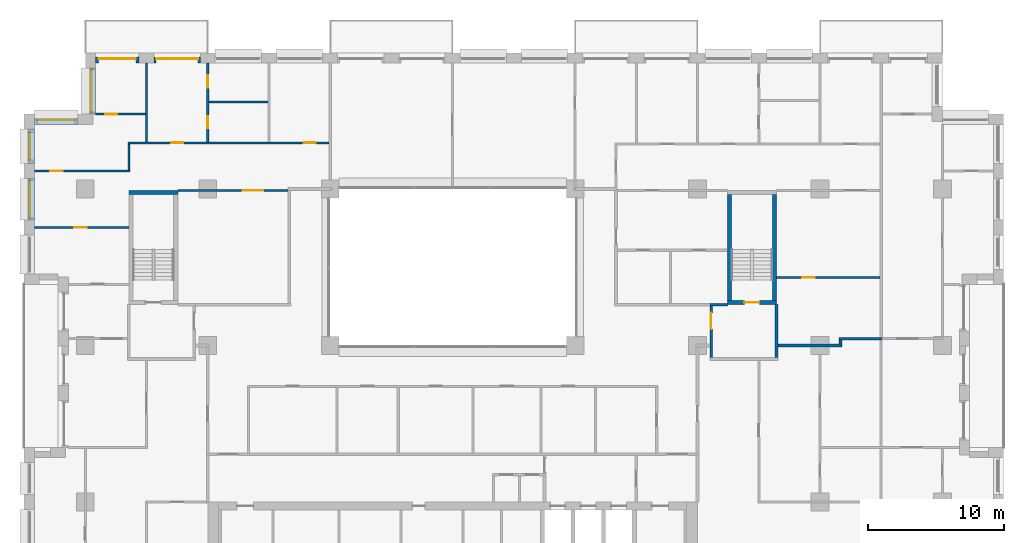
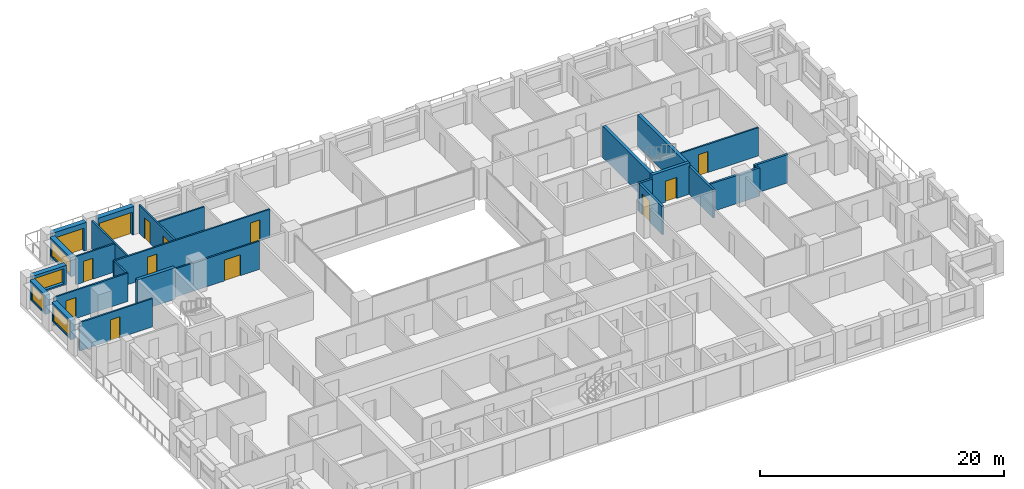
# One storey, part 12 of 16: 26 walls, 13 doors, 4 windows, 17 openings.
"""IFC4 building model written with IfcOpenShell, lengths in metres."""

from ifc_helpers import new_model, si_unit, direction, frame, frame_2d, origin, place, context, subcontext, project, spatial, rectangle, extrude, material, layer, layer_set, type_object, element, fill, save


model = new_model("IFC4")

# Units and contexts
model_context = context("Model", 3, precision=1e-05, world=origin(), true_north=direction((0.0, 1.0)))
body_context = subcontext(model_context, "Body", "Model", "MODEL_VIEW")
ifc_project = project(units=[si_unit("LENGTHUNIT", "METRE"), si_unit("AREAUNIT", "SQUARE_METRE"), si_unit("VOLUMEUNIT", "CUBIC_METRE"), si_unit("PLANEANGLEUNIT", "RADIAN"), si_unit("MASSUNIT", "GRAM", prefix="KILO")], contexts=[model_context])

# Site, building, storey
site_placement = place(None, origin())
site = spatial("IfcSite", under=ifc_project, at=site_placement, CompositionType="ELEMENT")
building_placement = place(site_placement, origin())
building = spatial("IfcBuilding", under=site, at=building_placement, Name="Brigalow Station Residences", CompositionType="ELEMENT")
storey_placement = place(building_placement, frame((0.0, 0.0, 86.699951171875)))
storey = spatial("IfcBuildingStorey", under=building, at=storey_placement, Name="L24", CompositionType="ELEMENT", Elevation=86.699951171875)

# Wall, opening, door
ifc_material_1 = material(Name="Clay brick masonry", Category="masonry")
ifc_layer_1 = layer(ifc_material_1, 0.449951171875)
ifc_layer_set_1 = layer_set([ifc_layer_1], Name="BRICK INFILL WALL 450")
wall_type_1 = type_object("IfcWallType", Name="BRICK INFILL WALL 450", PredefinedType="SOLIDWALL", material=ifc_layer_set_1)
wall_1_placement = place(storey_placement, frame((17.449951171875, 44.97509765625, 0.0), z_axis=(0.0, 0.0, 1.0), x_axis=(-1.0, 0.0, 0.0)))
wall_1 = element("IfcWall", 1, at=wall_1_placement, inside=storey, type_object=wall_type_1, Name="L24/ewall/W-L24-35", PredefinedType="SOLIDWALL", context=body_context, shape_type="SweptSolid", body=[
    extrude(rectangle(XDim=3.39990234375, YDim=0.449951171875, at=frame_2d((1.699951171875, 0.0))), origin(), (0.0, 0.0, 1.0), 2.830078125),
])
opening_1_placement = place(wall_1_placement, frame((0.14990234375, 0.0, 0.0)))
opening_1 = element("IfcOpeningElement", 2, at=opening_1_placement, cuts=wall_1, Name="Opening D-B3100", PredefinedType="OPENING", context=body_context, shape_type="SweptSolid", body=[
    extrude(rectangle(XDim=3.10009765625, YDim=2.300048828125, at=frame_2d((1.550048828125, 1.14990234375))), frame((0.0, 0.23486328125, 0.0), z_axis=(0.0, -1.0, 0.0), x_axis=(1.0, 0.0, 0.0)), (0.0, 0.0, 1.0), 0.469970703125),
])
ifc_material_2 = material(Name="Anodised aluminium frame with double glazing", Category="aluminium")
door_type_1 = type_object("IfcDoorType", Name="BALCONY SLIDING DOOR 3100x2300", OperationType="SLIDING_TO_LEFT", PredefinedType="DOOR", material=ifc_material_2)
door_1_placement = place(opening_1_placement, origin())
door_1 = element("IfcDoor", 3, at=door_1_placement, inside=storey, type_object=door_type_1, Name="L24/balcony-door/W-L24-35", OperationType="SLIDING_TO_LEFT", OverallHeight=2.300048828125, OverallWidth=3.10009765625, PredefinedType="DOOR", context=body_context, shape_type="SweptSolid", body=[
    extrude(rectangle(XDim=3.10009765625, YDim=2.300048828125, at=frame_2d((1.550048828125, 1.14990234375))), frame((0.0, -0.06982421875, 0.0), z_axis=(0.0, -1.0, 0.0), x_axis=(1.0, 0.0, 0.0)), (0.0, 0.0, 1.0), 0.050048828125),
])
fill(opening_1, door_1)

wall_2_placement = place(storey_placement, frame((12.949951171875, 44.97509765625, 0.0), z_axis=(0.0, 0.0, 1.0), x_axis=(-1.0, 0.0, 0.0)))
wall_2 = element("IfcWall", 4, at=wall_2_placement, inside=storey, type_object=wall_type_1, Name="L24/ewall/W-L24-36", PredefinedType="SOLIDWALL", context=body_context, shape_type="SweptSolid", body=[
    extrude(rectangle(XDim=3.199951171875, YDim=0.449951171875, at=frame_2d((1.60009765625, 0.0))), origin(), (0.0, 0.0, 1.0), 2.830078125),
])
opening_2_placement = place(wall_2_placement, frame((0.22509765625, 0.0, 0.0)))
opening_2 = element("IfcOpeningElement", 5, at=opening_2_placement, cuts=wall_2, Name="Opening D-B2750", PredefinedType="OPENING", context=body_context, shape_type="SweptSolid", body=[
    extrude(rectangle(XDim=2.75, YDim=2.300048828125, at=frame_2d((1.375, 1.14990234375))), frame((0.0, 0.23486328125, 0.0), z_axis=(0.0, -1.0, 0.0), x_axis=(1.0, 0.0, 0.0)), (0.0, 0.0, 1.0), 0.469970703125),
])
ifc_material_3 = material(Name="Anodised aluminium frame with double glazing", Category="aluminium")
door_type_2 = type_object("IfcDoorType", Name="BALCONY SLIDING DOOR 2750x2300", OperationType="SLIDING_TO_LEFT", PredefinedType="DOOR", material=ifc_material_3)
door_2_placement = place(opening_2_placement, origin())
door_2 = element("IfcDoor", 6, at=door_2_placement, inside=storey, type_object=door_type_2, Name="L24/balcony-door/W-L24-36", OperationType="SLIDING_TO_LEFT", OverallHeight=2.300048828125, OverallWidth=2.75, PredefinedType="DOOR", context=body_context, shape_type="SweptSolid", body=[
    extrude(rectangle(XDim=2.75, YDim=2.300048828125, at=frame_2d((1.375, 1.14990234375))), frame((0.0, -0.06982421875, 0.0), z_axis=(0.0, -1.0, 0.0), x_axis=(1.0, 0.0, 0.0)), (0.0, 0.0, 1.0), 0.050048828125),
])
fill(opening_2, door_2)

# Wall, opening, window
wall_3_placement = place(storey_placement, frame((9.52490234375, 44.39990234375, 0.900146484375), z_axis=(0.0, 0.0, 1.0), x_axis=(0.0, -1.0, 0.0)))
wall_3 = element("IfcWall", 7, at=wall_3_placement, inside=storey, type_object=wall_type_1, Name="L24/ewall/W-L24-37", PredefinedType="SOLIDWALL", context=body_context, shape_type="SweptSolid", body=[
    extrude(rectangle(XDim=3.39990234375, YDim=0.449951171875, at=frame_2d((1.699951171875, 0.0))), origin(), (0.0, 0.0, 1.0), 1.929931640625),
])
opening_3_placement = place(wall_3_placement, frame((0.14990234375, 0.0, 0.14990234375)))
opening_3 = element("IfcOpeningElement", 8, at=opening_3_placement, cuts=wall_3, Name="Opening WT-8", PredefinedType="OPENING", context=body_context, shape_type="SweptSolid", body=[
    extrude(rectangle(XDim=3.10009765625, YDim=1.5, at=frame_2d((1.550048828125, 0.75))), frame((0.0, 0.23486328125, 0.0), z_axis=(0.0, -1.0, 0.0), x_axis=(1.0, 0.0, 0.0)), (0.0, 0.0, 1.0), 0.469970703125),
])
ifc_material_4 = material(Name="Anodised aluminium frame with double glazing", Category="aluminium")
window_type_1 = type_object("IfcWindowType", Name="WINDOW 3100x1500", PartitioningType="SINGLE_PANEL", PredefinedType="WINDOW", material=ifc_material_4)
window_1_placement = place(opening_3_placement, origin())
window_1 = element("IfcWindow", 9, at=window_1_placement, inside=storey, type_object=window_type_1, Name="L24/window/W-L24-37", OverallHeight=1.5, OverallWidth=3.10009765625, PartitioningType="SINGLE_PANEL", PredefinedType="WINDOW", context=body_context, shape_type="SweptSolid", body=[
    extrude(rectangle(XDim=3.10009765625, YDim=1.5, at=frame_2d((1.550048828125, 0.75))), frame((0.0, -0.06494140625, 0.0), z_axis=(0.0, -1.0, 0.0), x_axis=(1.0, 0.0, 0.0)), (0.0, 0.0, 1.0), 0.06005859375),
])
fill(opening_3, window_1)

wall_4_placement = place(storey_placement, frame((8.449951171875, 40.47509765625, 0.900146484375), z_axis=(0.0, 0.0, 1.0), x_axis=(-1.0, 0.0, 0.0)))
wall_4 = element("IfcWall", 10, at=wall_4_placement, inside=storey, type_object=wall_type_1, Name="L24/ewall/W-L24-38", PredefinedType="SOLIDWALL", context=body_context, shape_type="SweptSolid", body=[
    extrude(rectangle(XDim=3.199951171875, YDim=0.449951171875, at=frame_2d((1.60009765625, 0.0))), origin(), (0.0, 0.0, 1.0), 1.929931640625),
])
opening_4_placement = place(wall_4_placement, frame((0.22509765625, 0.0, 0.14990234375)))
opening_4 = element("IfcOpeningElement", 11, at=opening_4_placement, cuts=wall_4, Name="Opening WT-3", PredefinedType="OPENING", context=body_context, shape_type="SweptSolid", body=[
    extrude(rectangle(XDim=2.75, YDim=1.5, at=frame_2d((1.375, 0.75))), frame((0.0, 0.23486328125, 0.0), z_axis=(0.0, -1.0, 0.0), x_axis=(1.0, 0.0, 0.0)), (0.0, 0.0, 1.0), 0.469970703125),
])
ifc_material_5 = material(Name="Anodised aluminium frame with double glazing", Category="aluminium")
window_type_2 = type_object("IfcWindowType", Name="WINDOW 2750x1500", PartitioningType="SINGLE_PANEL", PredefinedType="WINDOW", material=ifc_material_5)
window_2_placement = place(opening_4_placement, origin())
window_2 = element("IfcWindow", 12, at=window_2_placement, inside=storey, type_object=window_type_2, Name="L24/window/W-L24-38", OverallHeight=1.5, OverallWidth=2.75, PartitioningType="SINGLE_PANEL", PredefinedType="WINDOW", context=body_context, shape_type="SweptSolid", body=[
    extrude(rectangle(XDim=2.75, YDim=1.5, at=frame_2d((1.375, 0.75))), frame((0.0, -0.06494140625, 0.0), z_axis=(0.0, -1.0, 0.0), x_axis=(1.0, 0.0, 0.0)), (0.0, 0.0, 1.0), 0.06005859375),
])
fill(opening_4, window_2)

wall_5_placement = place(storey_placement, frame((5.02490234375, 39.89990234375, 0.900146484375), z_axis=(0.0, 0.0, 1.0), x_axis=(0.0, -1.0, 0.0)))
wall_5 = element("IfcWall", 13, at=wall_5_placement, inside=storey, type_object=wall_type_1, Name="L24/ewall/W-L24-39", PredefinedType="SOLIDWALL", context=body_context, shape_type="SweptSolid", body=[
    extrude(rectangle(XDim=2.516845703125, YDim=0.449951171875, at=frame_2d((1.25830078125, 0.0))), origin(), (0.0, 0.0, 1.0), 1.929931640625),
])
opening_5_placement = place(wall_5_placement, frame((0.258544921875, 0.0, 0.14990234375)))
opening_5 = element("IfcOpeningElement", 14, at=opening_5_placement, cuts=wall_5, Name="Opening WT-7", PredefinedType="OPENING", context=body_context, shape_type="SweptSolid", body=[
    extrude(rectangle(XDim=2.0, YDim=1.5, at=frame_2d((1.0, 0.75))), frame((0.0, 0.23486328125, 0.0), z_axis=(0.0, -1.0, 0.0), x_axis=(1.0, 0.0, 0.0)), (0.0, 0.0, 1.0), 0.469970703125),
])
ifc_material_6 = material(Name="Anodised aluminium frame with double glazing", Category="aluminium")
window_type_3 = type_object("IfcWindowType", Name="WINDOW 2000x1500", PartitioningType="SINGLE_PANEL", PredefinedType="WINDOW", material=ifc_material_6)
window_3_placement = place(opening_5_placement, origin())
window_3 = element("IfcWindow", 15, at=window_3_placement, inside=storey, type_object=window_type_3, Name="L24/window/W-L24-39", OverallHeight=1.5, OverallWidth=2.0, PartitioningType="SINGLE_PANEL", PredefinedType="WINDOW", context=body_context, shape_type="SweptSolid", body=[
    extrude(rectangle(XDim=2.0, YDim=1.5, at=frame_2d((1.0, 0.75))), frame((0.0, -0.06494140625, 0.0), z_axis=(0.0, -1.0, 0.0), x_axis=(1.0, 0.0, 0.0)), (0.0, 0.0, 1.0), 0.06005859375),
])
fill(opening_5, window_3)

wall_6_placement = place(storey_placement, frame((5.02490234375, 36.282958984375, 0.900146484375), z_axis=(0.0, 0.0, 1.0), x_axis=(0.0, -1.0, 0.0)))
wall_6 = element("IfcWall", 16, at=wall_6_placement, inside=storey, type_object=wall_type_1, Name="L24/ewall/W-L24-40", PredefinedType="SOLIDWALL", context=body_context, shape_type="SweptSolid", body=[
    extrude(rectangle(XDim=3.06591796875, YDim=0.449951171875, at=frame_2d((1.532958984375, 0.0))), origin(), (0.0, 0.0, 1.0), 1.929931640625),
])
opening_6_placement = place(wall_6_placement, frame((0.157958984375, 0.0, 0.14990234375)))
opening_6 = element("IfcOpeningElement", 17, at=opening_6_placement, cuts=wall_6, Name="Opening WT-3", PredefinedType="OPENING", context=body_context, shape_type="SweptSolid", body=[
    extrude(rectangle(XDim=2.75, YDim=1.5, at=frame_2d((1.375, 0.75))), frame((0.0, 0.23486328125, 0.0), z_axis=(0.0, -1.0, 0.0), x_axis=(1.0, 0.0, 0.0)), (0.0, 0.0, 1.0), 0.469970703125),
])
window_4_placement = place(opening_6_placement, origin())
window_4 = element("IfcWindow", 18, at=window_4_placement, inside=storey, type_object=window_type_2, Name="L24/window/W-L24-40", OverallHeight=1.5, OverallWidth=2.75, PartitioningType="SINGLE_PANEL", PredefinedType="WINDOW", context=body_context, shape_type="SweptSolid", body=[
    extrude(rectangle(XDim=2.75, YDim=1.5, at=frame_2d((1.375, 0.75))), frame((0.0, -0.06494140625, 0.0), z_axis=(0.0, -1.0, 0.0), x_axis=(1.0, 0.0, 0.0)), (0.0, 0.0, 1.0), 0.06005859375),
])
fill(opening_6, window_4)

# Wall
ifc_material_7 = material(Name="Concrete C65", Category="concrete")
ifc_layer_2 = layer(ifc_material_7, 0.300048828125)
ifc_layer_set_2 = layer_set([ifc_layer_2], Name="CORE SHEAR WALL 300 C65")
wall_type_2 = type_object("IfcWallType", Name="CORE SHEAR WALL 300 C65", PredefinedType="SHEAR", material=ifc_layer_set_2)
wall_7_placement = place(storey_placement, frame((12.199951171875, 35.25, 0.0), z_axis=(0.0, 0.0, 1.0), x_axis=(1.0, 0.0, 0.0)))
element("IfcWall", 19, at=wall_7_placement, inside=storey, type_object=wall_type_2, Name="CORE WALL ST-S1-N L24", PredefinedType="SHEAR", context=body_context, shape_type="SweptSolid", body=[
    extrude(rectangle(XDim=3.60009765625, YDim=0.300048828125, at=frame_2d((1.800048828125, 0.0))), origin(), (0.0, 0.0, 1.0), 3.150146484375),
])

# Wall, opening, door
wall_8_placement = place(storey_placement, frame((56.199951171875, 27.14990234375, 0.0), z_axis=(0.0, 0.0, 1.0), x_axis=(1.0, 0.0, 0.0)))
wall_8 = element("IfcWall", 20, at=wall_8_placement, inside=storey, type_object=wall_type_2, Name="CORE WALL ST-S3-S L24", PredefinedType="SHEAR", context=body_context, shape_type="SweptSolid", body=[
    extrude(rectangle(XDim=3.60009765625, YDim=0.300048828125, at=frame_2d((1.800048828125, 0.0))), origin(), (0.0, 0.0, 1.0), 3.150146484375),
])
opening_7_placement = place(wall_8_placement, frame((1.25, 0.0, 0.0)))
opening_7 = element("IfcOpeningElement", 21, at=opening_7_placement, cuts=wall_8, Name="Opening D-5018", PredefinedType="OPENING", context=body_context, shape_type="SweptSolid", body=[
    extrude(rectangle(XDim=1.10009765625, YDim=2.10009765625, at=frame_2d((0.550048828125, 1.050048828125))), frame((0.0, 0.16015625, 0.0), z_axis=(0.0, -1.0, 0.0), x_axis=(1.0, 0.0, 0.0)), (0.0, 0.0, 1.0), 0.320068359375),
])
ifc_material_8 = material(Name="Steel fire door leaf in steel frame", Category="steel")
door_type_3 = type_object("IfcDoorType", Name="STAIR DOOR 1100 x 2100 FD60S", OperationType="SINGLE_SWING_LEFT", PredefinedType="DOOR", material=ifc_material_8)
door_3_placement = place(opening_7_placement, origin())
door_3 = element("IfcDoor", 22, at=door_3_placement, inside=storey, type_object=door_type_3, Name="D-5018", OperationType="SINGLE_SWING_LEFT", OverallHeight=2.10009765625, OverallWidth=1.10009765625, PredefinedType="DOOR", context=body_context, shape_type="SweptSolid", body=[
    extrude(rectangle(XDim=1.10009765625, YDim=2.10009765625, at=frame_2d((0.550048828125, 1.050048828125))), frame((0.0, 0.02490234375, 0.0), z_axis=(0.0, -1.0, 0.0), x_axis=(1.0, 0.0, 0.0)), (0.0, 0.0, 1.0), 0.050048828125),
])
fill(opening_7, door_3)

# Walls
for number, where, z_axis, x_axis, name in (
    (23, (56.35009765625, 27.300048828125, 0.0), (0.0, 0.0, 1.0), (0.0, 1.0, 0.0), "CORE WALL ST-S3-W L24"),
    (24, (59.64990234375, 27.300048828125, 0.0), (0.0, 0.0, 1.0), (0.0, 1.0, 0.0), "CORE WALL ST-S3-E L24"),
):
    element("IfcWall", number, at=place(storey_placement, frame(where, z_axis=z_axis, x_axis=x_axis)), inside=storey, type_object=wall_type_2, Name=name, PredefinedType="SHEAR", context=body_context, shape_type="SweptSolid", body=[
        extrude(rectangle(XDim=7.800048828125, YDim=0.300048828125, at=frame_2d((3.89990234375, 0.0))), origin(), (0.0, 0.0, 1.0), 3.150146484375),
    ])
ifc_material_9 = material(Name="Concrete blockwork", Category="masonry")
ifc_layer_3 = layer(ifc_material_9, 0.199951171875)
ifc_layer_set_3 = layer_set([ifc_layer_3], Name="FIRE RATED CORE PARTITION 200")
wall_type_3 = type_object("IfcWallType", Name="FIRE RATED CORE PARTITION 200", PredefinedType="PARTITIONING", material=ifc_layer_set_3)
wall_9_placement = place(storey_placement, frame((54.89990234375, 27.0, 0.0), z_axis=(0.0, 0.0, 1.0), x_axis=(1.0, 0.0, 0.0)))
element("IfcWall", 25, at=wall_9_placement, inside=storey, type_object=wall_type_3, Name="PW-5026", PredefinedType="PARTITIONING", context=body_context, shape_type="SweptSolid", body=[
    extrude(rectangle(XDim=1.300048828125, YDim=0.199951171875, at=frame_2d((0.64990234375, 0.0))), origin(), (0.0, 0.0, 1.0), 2.830078125),
])

# Wall, opening, door
wall_10_placement = place(storey_placement, frame((55.0, 23.10009765625, 0.0), z_axis=(0.0, 0.0, 1.0), x_axis=(0.0, 1.0, 0.0)))
wall_10 = element("IfcWall", 26, at=wall_10_placement, inside=storey, type_object=wall_type_3, Name="PW-5036", PredefinedType="PARTITIONING", context=body_context, shape_type="SweptSolid", body=[
    extrude(rectangle(XDim=3.7998046875, YDim=0.199951171875, at=frame_2d((1.89990234375, 0.0))), origin(), (0.0, 0.0, 1.0), 2.830078125),
])
opening_8_placement = place(wall_10_placement, frame((2.10009765625, 0.0, 0.0)))
opening_8 = element("IfcOpeningElement", 27, at=opening_8_placement, cuts=wall_10, Name="Opening D-5019", PredefinedType="OPENING", context=body_context, shape_type="SweptSolid", body=[
    extrude(rectangle(XDim=1.199951171875, YDim=2.10009765625, at=frame_2d((0.60009765625, 1.050048828125))), frame((0.0, 0.10986328125, 0.0), z_axis=(0.0, -1.0, 0.0), x_axis=(1.0, 0.0, 0.0)), (0.0, 0.0, 1.0), 0.219970703125),
])
ifc_material_10 = material(Name="Steel fire door leaf in steel frame", Category="steel")
door_type_4 = type_object("IfcDoorType", Name="STAIR LOBBY DOOR 1200 x 2100 FD60S", OperationType="SINGLE_SWING_LEFT", PredefinedType="DOOR", material=ifc_material_10)
door_4_placement = place(opening_8_placement, frame((1.199951171875, 0.0, 0.0), z_axis=(0.0, 0.0, 1.0), x_axis=(-1.0, 0.0, 0.0)))
door_4 = element("IfcDoor", 28, at=door_4_placement, inside=storey, type_object=door_type_4, Name="D-5019", OperationType="SINGLE_SWING_LEFT", OverallHeight=2.10009765625, OverallWidth=1.199951171875, PredefinedType="DOOR", context=body_context, shape_type="SweptSolid", body=[
    extrude(rectangle(XDim=1.199951171875, YDim=2.10009765625, at=frame_2d((0.60009765625, 1.050048828125))), frame((0.0, 0.02490234375, 0.0), z_axis=(0.0, -1.0, 0.0), x_axis=(1.0, 0.0, 0.0)), (0.0, 0.0, 1.0), 0.050048828125),
])
fill(opening_8, door_4)

# Wall
wall_11_placement = place(storey_placement, frame((59.800048828125, 23.10009765625, 0.0), z_axis=(0.0, 0.0, 1.0), x_axis=(0.0, 1.0, 0.0)))
element("IfcWall", 29, at=wall_11_placement, inside=storey, type_object=wall_type_3, Name="PW-5037", PredefinedType="PARTITIONING", context=body_context, shape_type="SweptSolid", body=[
    extrude(rectangle(XDim=3.89990234375, YDim=0.199951171875, at=frame_2d((1.949951171875, 0.0))), origin(), (0.0, 0.0, 1.0), 2.830078125),
])

# Wall, opening, door
ifc_material_11 = material(Name="Plasterboard on steel stud partition", Category="steel")
ifc_layer_4 = layer(ifc_material_11, 0.14990234375)
ifc_layer_set_4 = layer_set([ifc_layer_4], Name="FLAT PARTITION 150")
wall_type_4 = type_object("IfcWallType", Name="FLAT PARTITION 150", PredefinedType="PARTITIONING", material=ifc_layer_set_4)
wall_12_placement = place(storey_placement, frame((5.25, 32.6669921875, 0.0), z_axis=(0.0, 0.0, 1.0), x_axis=(1.0, 0.0, 0.0)))
wall_12 = element("IfcWall", 30, at=wall_12_placement, inside=storey, type_object=wall_type_4, Name="PW-2A24", PredefinedType="PARTITIONING", context=body_context, shape_type="SweptSolid", body=[
    extrude(rectangle(XDim=6.949951171875, YDim=0.14990234375, at=frame_2d((3.47509765625, 0.0))), origin(), (0.0, 0.0, 1.0), 2.830078125),
])
opening_9_placement = place(wall_12_placement, frame((2.949951171875, 0.0, 0.0)))
opening_9 = element("IfcOpeningElement", 31, at=opening_9_placement, cuts=wall_12, Name="Opening D-2A12", PredefinedType="OPENING", context=body_context, shape_type="SweptSolid", body=[
    extrude(rectangle(XDim=0.89990234375, YDim=2.10009765625, at=frame_2d((0.449951171875, 1.050048828125))), frame((0.0, 0.0849609375, 0.0), z_axis=(0.0, -1.0, 0.0), x_axis=(1.0, 0.0, 0.0)), (0.0, 0.0, 1.0), 0.169921875),
])
ifc_material_12 = material(Name="Solid-core timber door leaf", Category="wood")
door_type_5 = type_object("IfcDoorType", Name="INTERNAL DOOR 900 x 2100", OperationType="SINGLE_SWING_LEFT", PredefinedType="DOOR", material=ifc_material_12)
door_5_placement = place(opening_9_placement, frame((0.89990234375, 0.0, 0.0), z_axis=(0.0, 0.0, 1.0), x_axis=(-1.0, 0.0, 0.0)))
door_5 = element("IfcDoor", 32, at=door_5_placement, inside=storey, type_object=door_type_5, Name="D-2A12", OperationType="SINGLE_SWING_RIGHT", OverallHeight=2.10009765625, OverallWidth=0.89990234375, PredefinedType="DOOR", context=body_context, shape_type="SweptSolid", body=[
    extrude(rectangle(XDim=0.89990234375, YDim=2.10009765625, at=frame_2d((0.449951171875, 1.050048828125))), frame((0.0, 0.02490234375, 0.0), z_axis=(0.0, -1.0, 0.0), x_axis=(1.0, 0.0, 0.0)), (0.0, 0.0, 1.0), 0.050048828125),
])
fill(opening_9, door_5)

wall_13_placement = place(storey_placement, frame((5.25, 36.8330078125, 0.0), z_axis=(0.0, 0.0, 1.0), x_axis=(1.0, 0.0, 0.0)))
wall_13 = element("IfcWall", 33, at=wall_13_placement, inside=storey, type_object=wall_type_4, Name="PW-2A25", PredefinedType="PARTITIONING", context=body_context, shape_type="SweptSolid", body=[
    extrude(rectangle(XDim=7.02490234375, YDim=0.14990234375, at=frame_2d((3.512451171875, 0.0))), origin(), (0.0, 0.0, 1.0), 2.830078125),
])
opening_10_placement = place(wall_13_placement, frame((1.175048828125, 0.0, 0.0)))
opening_10 = element("IfcOpeningElement", 34, at=opening_10_placement, cuts=wall_13, Name="Opening D-2A13", PredefinedType="OPENING", context=body_context, shape_type="SweptSolid", body=[
    extrude(rectangle(XDim=0.89990234375, YDim=2.10009765625, at=frame_2d((0.449951171875, 1.050048828125))), frame((0.0, 0.0849609375, 0.0), z_axis=(0.0, -1.0, 0.0), x_axis=(1.0, 0.0, 0.0)), (0.0, 0.0, 1.0), 0.169921875),
])
door_6_placement = place(opening_10_placement, origin())
door_6 = element("IfcDoor", 35, at=door_6_placement, inside=storey, type_object=door_type_5, Name="D-2A13", OperationType="SINGLE_SWING_LEFT", OverallHeight=2.10009765625, OverallWidth=0.89990234375, PredefinedType="DOOR", context=body_context, shape_type="SweptSolid", body=[
    extrude(rectangle(XDim=0.89990234375, YDim=2.10009765625, at=frame_2d((0.449951171875, 1.050048828125))), frame((0.0, 0.02490234375, 0.0), z_axis=(0.0, -1.0, 0.0), x_axis=(1.0, 0.0, 0.0)), (0.0, 0.0, 1.0), 0.050048828125),
])
fill(opening_10, door_6)

# Wall, openings, doors
wall_14_placement = place(storey_placement, frame((12.125, 38.89990234375, 0.0), z_axis=(0.0, 0.0, 1.0), x_axis=(1.0, 0.0, 0.0)))
wall_14 = element("IfcWall", 36, at=wall_14_placement, inside=storey, type_object=wall_type_4, Name="PW-2A27", PredefinedType="PARTITIONING", context=body_context, shape_type="SweptSolid", body=[
    extrude(rectangle(XDim=14.77490234375, YDim=0.14990234375, at=frame_2d((7.387451171875, 0.0))), origin(), (0.0, 0.0, 1.0), 2.830078125),
])
opening_11_placement = place(wall_14_placement, frame((3.175048828125, 0.0, 0.0)))
opening_11 = element("IfcOpeningElement", 37, at=opening_11_placement, cuts=wall_14, Name="Opening D-2A15", PredefinedType="OPENING", context=body_context, shape_type="SweptSolid", body=[
    extrude(rectangle(XDim=0.89990234375, YDim=2.10009765625, at=frame_2d((0.449951171875, 1.050048828125))), frame((0.0, 0.0849609375, 0.0), z_axis=(0.0, -1.0, 0.0), x_axis=(1.0, 0.0, 0.0)), (0.0, 0.0, 1.0), 0.169921875),
])
opening_12_placement = place(wall_14_placement, frame((12.925048828125, 0.0, 0.0)))
opening_12 = element("IfcOpeningElement", 38, at=opening_12_placement, cuts=wall_14, Name="Opening D-2A19", PredefinedType="OPENING", context=body_context, shape_type="SweptSolid", body=[
    extrude(rectangle(XDim=0.89990234375, YDim=2.10009765625, at=frame_2d((0.449951171875, 1.050048828125))), frame((0.0, 0.0849609375, 0.0), z_axis=(0.0, -1.0, 0.0), x_axis=(1.0, 0.0, 0.0)), (0.0, 0.0, 1.0), 0.169921875),
])
door_7_placement = place(opening_11_placement, origin())
door_7 = element("IfcDoor", 39, at=door_7_placement, inside=storey, type_object=door_type_5, Name="D-2A15", OperationType="SINGLE_SWING_RIGHT", OverallHeight=2.10009765625, OverallWidth=0.89990234375, PredefinedType="DOOR", context=body_context, shape_type="SweptSolid", body=[
    extrude(rectangle(XDim=0.89990234375, YDim=2.10009765625, at=frame_2d((0.449951171875, 1.050048828125))), frame((0.0, 0.02490234375, 0.0), z_axis=(0.0, -1.0, 0.0), x_axis=(1.0, 0.0, 0.0)), (0.0, 0.0, 1.0), 0.050048828125),
])
fill(opening_11, door_7)
door_8_placement = place(opening_12_placement, origin())
door_8 = element("IfcDoor", 40, at=door_8_placement, inside=storey, type_object=door_type_5, Name="D-2A19", OperationType="SINGLE_SWING_RIGHT", OverallHeight=2.10009765625, OverallWidth=0.89990234375, PredefinedType="DOOR", context=body_context, shape_type="SweptSolid", body=[
    extrude(rectangle(XDim=0.89990234375, YDim=2.10009765625, at=frame_2d((0.449951171875, 1.050048828125))), frame((0.0, 0.02490234375, 0.0), z_axis=(0.0, -1.0, 0.0), x_axis=(1.0, 0.0, 0.0)), (0.0, 0.0, 1.0), 0.050048828125),
])
fill(opening_12, door_8)

# Wall, opening, door
wall_15_placement = place(storey_placement, frame((15.800048828125, 35.39990234375, 0.0), z_axis=(0.0, 0.0, 1.0), x_axis=(1.0, 0.0, 0.0)))
wall_15 = element("IfcWall", 41, at=wall_15_placement, inside=storey, type_object=wall_type_4, Name="PW-2A28", PredefinedType="PARTITIONING", context=body_context, shape_type="SweptSolid", body=[
    extrude(rectangle(XDim=8.099853515625, YDim=0.14990234375, at=frame_2d((4.0498046875, 0.0))), origin(), (0.0, 0.0, 1.0), 2.830078125),
])
opening_13_placement = place(wall_15_placement, frame((4.77490234375, 0.0, 0.0)))
opening_13 = element("IfcOpeningElement", 42, at=opening_13_placement, cuts=wall_15, Name="Opening D-2A18", PredefinedType="OPENING", context=body_context, shape_type="SweptSolid", body=[
    extrude(rectangle(XDim=1.5, YDim=2.10009765625, at=frame_2d((0.75, 1.050048828125))), frame((0.0, 0.0849609375, 0.0), z_axis=(0.0, -1.0, 0.0), x_axis=(1.0, 0.0, 0.0)), (0.0, 0.0, 1.0), 0.169921875),
])
ifc_material_13 = material(Name="Solid-core timber door leaf", Category="wood")
door_type_6 = type_object("IfcDoorType", Name="INTERNAL DOUBLE DOOR 1500 x 2100", OperationType="DOUBLE_DOOR_SINGLE_SWING", PredefinedType="DOOR", material=ifc_material_13)
door_9_placement = place(opening_13_placement, frame((1.5, 0.0, 0.0), z_axis=(0.0, 0.0, 1.0), x_axis=(-1.0, 0.0, 0.0)))
door_9 = element("IfcDoor", 43, at=door_9_placement, inside=storey, type_object=door_type_6, Name="D-2A18", OperationType="DOUBLE_DOOR_SINGLE_SWING", OverallHeight=2.10009765625, OverallWidth=1.5, PredefinedType="DOOR", context=body_context, shape_type="SweptSolid", body=[
    extrude(rectangle(XDim=1.5, YDim=2.10009765625, at=frame_2d((0.75, 1.050048828125))), frame((0.0, 0.02490234375, 0.0), z_axis=(0.0, -1.0, 0.0), x_axis=(1.0, 0.0, 0.0)), (0.0, 0.0, 1.0), 0.050048828125),
])
fill(opening_13, door_9)

wall_16_placement = place(storey_placement, frame((9.75, 41.0, 0.0), z_axis=(0.0, 0.0, 1.0), x_axis=(1.0, 0.0, 0.0)))
wall_16 = element("IfcWall", 44, at=wall_16_placement, inside=storey, type_object=wall_type_4, Name="PW-2A31", PredefinedType="PARTITIONING", context=body_context, shape_type="SweptSolid", body=[
    extrude(rectangle(XDim=3.675048828125, YDim=0.14990234375, at=frame_2d((1.83740234375, 0.0))), origin(), (0.0, 0.0, 1.0), 2.830078125),
])
opening_14_placement = place(wall_16_placement, frame((0.699951171875, 0.0, 0.0)))
opening_14 = element("IfcOpeningElement", 45, at=opening_14_placement, cuts=wall_16, Name="Opening D-2A14", PredefinedType="OPENING", context=body_context, shape_type="SweptSolid", body=[
    extrude(rectangle(XDim=0.89990234375, YDim=2.10009765625, at=frame_2d((0.449951171875, 1.050048828125))), frame((0.0, 0.0849609375, 0.0), z_axis=(0.0, -1.0, 0.0), x_axis=(1.0, 0.0, 0.0)), (0.0, 0.0, 1.0), 0.169921875),
])
door_10_placement = place(opening_14_placement, origin())
door_10 = element("IfcDoor", 46, at=door_10_placement, inside=storey, type_object=door_type_5, Name="D-2A14", OperationType="SINGLE_SWING_LEFT", OverallHeight=2.10009765625, OverallWidth=0.89990234375, PredefinedType="DOOR", context=body_context, shape_type="SweptSolid", body=[
    extrude(rectangle(XDim=0.89990234375, YDim=2.10009765625, at=frame_2d((0.449951171875, 1.050048828125))), frame((0.0, 0.02490234375, 0.0), z_axis=(0.0, -1.0, 0.0), x_axis=(1.0, 0.0, 0.0)), (0.0, 0.0, 1.0), 0.050048828125),
])
fill(opening_14, door_10)

# Wall
wall_17_placement = place(storey_placement, frame((18.074951171875, 41.89990234375, 0.0), z_axis=(0.0, 0.0, 1.0), x_axis=(1.0, 0.0, 0.0)))
element("IfcWall", 47, at=wall_17_placement, inside=storey, type_object=wall_type_4, Name="PW-2A33", PredefinedType="PARTITIONING", context=body_context, shape_type="SweptSolid", body=[
    extrude(rectangle(XDim=4.35009765625, YDim=0.14990234375, at=frame_2d((2.175048828125, 0.0))), origin(), (0.0, 0.0, 1.0), 2.830078125),
])

# Wall, opening, door
wall_18_placement = place(storey_placement, frame((59.800048828125, 29.0, 0.0), z_axis=(0.0, 0.0, 1.0), x_axis=(1.0, 0.0, 0.0)))
wall_18 = element("IfcWall", 48, at=wall_18_placement, inside=storey, type_object=wall_type_4, Name="PW-2A37", PredefinedType="PARTITIONING", context=body_context, shape_type="SweptSolid", body=[
    extrude(rectangle(XDim=7.599853515625, YDim=0.14990234375, at=frame_2d((3.7998046875, 0.0))), origin(), (0.0, 0.0, 1.0), 2.830078125),
])
opening_15_placement = place(wall_18_placement, frame((1.89990234375, 0.0, 0.0)))
opening_15 = element("IfcOpeningElement", 49, at=opening_15_placement, cuts=wall_18, Name="Opening D-2A33", PredefinedType="OPENING", context=body_context, shape_type="SweptSolid", body=[
    extrude(rectangle(XDim=0.89990234375, YDim=2.10009765625, at=frame_2d((0.449951171875, 1.050048828125))), frame((0.0, 0.0849609375, 0.0), z_axis=(0.0, -1.0, 0.0), x_axis=(1.0, 0.0, 0.0)), (0.0, 0.0, 1.0), 0.169921875),
])
door_11_placement = place(opening_15_placement, frame((0.89990234375, 0.0, 0.0), z_axis=(0.0, 0.0, 1.0), x_axis=(-1.0, 0.0, 0.0)))
door_11 = element("IfcDoor", 50, at=door_11_placement, inside=storey, type_object=door_type_5, Name="D-2A33", OperationType="SINGLE_SWING_RIGHT", OverallHeight=2.10009765625, OverallWidth=0.89990234375, PredefinedType="DOOR", context=body_context, shape_type="SweptSolid", body=[
    extrude(rectangle(XDim=0.89990234375, YDim=2.10009765625, at=frame_2d((0.449951171875, 1.050048828125))), frame((0.0, 0.02490234375, 0.0), z_axis=(0.0, -1.0, 0.0), x_axis=(1.0, 0.0, 0.0)), (0.0, 0.0, 1.0), 0.050048828125),
])
fill(opening_15, door_11)

# Wall, openings, doors
wall_19_placement = place(storey_placement, frame((18.0, 38.97509765625, 0.0), z_axis=(0.0, 0.0, 1.0), x_axis=(0.0, 1.0, 0.0)))
wall_19 = element("IfcWall", 51, at=wall_19_placement, inside=storey, type_object=wall_type_4, Name="PW-2A39", PredefinedType="PARTITIONING", context=body_context, shape_type="SweptSolid", body=[
    extrude(rectangle(XDim=5.77490234375, YDim=0.14990234375, at=frame_2d((2.887451171875, 0.0))), origin(), (0.0, 0.0, 1.0), 2.830078125),
])
opening_16_placement = place(wall_19_placement, frame((0.97509765625, 0.0, 0.0)))
opening_16 = element("IfcOpeningElement", 52, at=opening_16_placement, cuts=wall_19, Name="Opening D-2A16", PredefinedType="OPENING", context=body_context, shape_type="SweptSolid", body=[
    extrude(rectangle(XDim=0.89990234375, YDim=2.10009765625, at=frame_2d((0.449951171875, 1.050048828125))), frame((0.0, 0.0849609375, 0.0), z_axis=(0.0, -1.0, 0.0), x_axis=(1.0, 0.0, 0.0)), (0.0, 0.0, 1.0), 0.169921875),
])
opening_17_placement = place(wall_19_placement, frame((3.97509765625, 0.0, 0.0)))
opening_17 = element("IfcOpeningElement", 53, at=opening_17_placement, cuts=wall_19, Name="Opening D-2A17", PredefinedType="OPENING", context=body_context, shape_type="SweptSolid", body=[
    extrude(rectangle(XDim=0.89990234375, YDim=2.10009765625, at=frame_2d((0.449951171875, 1.050048828125))), frame((0.0, 0.0849609375, 0.0), z_axis=(0.0, -1.0, 0.0), x_axis=(1.0, 0.0, 0.0)), (0.0, 0.0, 1.0), 0.169921875),
])
door_12_placement = place(opening_16_placement, frame((0.89990234375, 0.0, 0.0), z_axis=(0.0, 0.0, 1.0), x_axis=(-1.0, 0.0, 0.0)))
door_12 = element("IfcDoor", 54, at=door_12_placement, inside=storey, type_object=door_type_5, Name="D-2A16", OperationType="SINGLE_SWING_RIGHT", OverallHeight=2.10009765625, OverallWidth=0.89990234375, PredefinedType="DOOR", context=body_context, shape_type="SweptSolid", body=[
    extrude(rectangle(XDim=0.89990234375, YDim=2.10009765625, at=frame_2d((0.449951171875, 1.050048828125))), frame((0.0, 0.02490234375, 0.0), z_axis=(0.0, -1.0, 0.0), x_axis=(1.0, 0.0, 0.0)), (0.0, 0.0, 1.0), 0.050048828125),
])
fill(opening_16, door_12)
door_13_placement = place(opening_17_placement, frame((0.89990234375, 0.0, 0.0), z_axis=(0.0, 0.0, 1.0), x_axis=(-1.0, 0.0, 0.0)))
door_13 = element("IfcDoor", 55, at=door_13_placement, inside=storey, type_object=door_type_5, Name="D-2A17", OperationType="SINGLE_SWING_LEFT", OverallHeight=2.10009765625, OverallWidth=0.89990234375, PredefinedType="DOOR", context=body_context, shape_type="SweptSolid", body=[
    extrude(rectangle(XDim=0.89990234375, YDim=2.10009765625, at=frame_2d((0.449951171875, 1.050048828125))), frame((0.0, 0.02490234375, 0.0), z_axis=(0.0, -1.0, 0.0), x_axis=(1.0, 0.0, 0.0)), (0.0, 0.0, 1.0), 0.050048828125),
])
fill(opening_17, door_13)

# Walls
wall_20_placement = place(storey_placement, frame((13.5, 38.97509765625, 0.0), z_axis=(0.0, 0.0, 1.0), x_axis=(0.0, 1.0, 0.0)))
element("IfcWall", 56, at=wall_20_placement, inside=storey, type_object=wall_type_4, Name="PW-2A51", PredefinedType="PARTITIONING", context=body_context, shape_type="SweptSolid", body=[
    extrude(rectangle(XDim=5.77490234375, YDim=0.14990234375, at=frame_2d((2.887451171875, 0.0))), origin(), (0.0, 0.0, 1.0), 2.830078125),
])
wall_21_placement = place(storey_placement, frame((12.199951171875, 36.907958984375, 0.0), z_axis=(0.0, 0.0, 1.0), x_axis=(0.0, 1.0, 0.0)))
element("IfcWall", 57, at=wall_21_placement, inside=storey, type_object=wall_type_4, Name="PW-2A53", PredefinedType="PARTITIONING", context=body_context, shape_type="SweptSolid", body=[
    extrude(rectangle(XDim=1.9169921875, YDim=0.14990234375, at=frame_2d((0.95849609375, 0.0))), origin(), (0.0, 0.0, 1.0), 2.830078125),
])
ifc_material_14 = material(Name="Plasterboard on steel stud partition", Category="steel")
ifc_layer_5 = layer(ifc_material_14, 0.199951171875)
ifc_layer_set_5 = layer_set([ifc_layer_5], Name="PARTY AND CORRIDOR WALL 200")
wall_type_5 = type_object("IfcWallType", Name="PARTY AND CORRIDOR WALL 200", PredefinedType="PARTITIONING", material=ifc_layer_set_5)
wall_22_placement = place(storey_placement, frame((59.89990234375, 24.0, 0.0), z_axis=(0.0, 0.0, 1.0), x_axis=(1.0, 0.0, 0.0)))
element("IfcWall", 58, at=wall_22_placement, inside=storey, type_object=wall_type_5, Name="PW-2A04", PredefinedType="PARTITIONING", context=body_context, shape_type="SweptSolid", body=[
    extrude(rectangle(XDim=4.7001953125, YDim=0.199951171875, at=frame_2d((2.35009765625, 0.0))), origin(), (0.0, 0.0, 1.0), 2.830078125),
])
wall_23_placement = place(storey_placement, frame((64.39990234375, 24.5, 0.0), z_axis=(0.0, 0.0, 1.0), x_axis=(1.0, 0.0, 0.0)))
element("IfcWall", 59, at=wall_23_placement, inside=storey, type_object=wall_type_5, Name="PW-2A21", PredefinedType="PARTITIONING", context=body_context, shape_type="SweptSolid", body=[
    extrude(rectangle(XDim=3.175048828125, YDim=0.199951171875, at=frame_2d((1.58740234375, 0.0))), origin(), (0.0, 0.0, 1.0), 2.830078125),
])
wall_24_placement = place(storey_placement, frame((64.5, 24.10009765625, 0.0), z_axis=(0.0, 0.0, 1.0), x_axis=(0.0, 1.0, 0.0)))
element("IfcWall", 60, at=wall_24_placement, inside=storey, type_object=wall_type_5, Name="PW-2A69", PredefinedType="PARTITIONING", context=body_context, shape_type="SweptSolid", body=[
    extrude(rectangle(XDim=0.2998046875, YDim=0.199951171875, at=frame_2d((0.14990234375, 0.0))), origin(), (0.0, 0.0, 1.0), 2.830078125),
])

save(model, "model.ifc")
